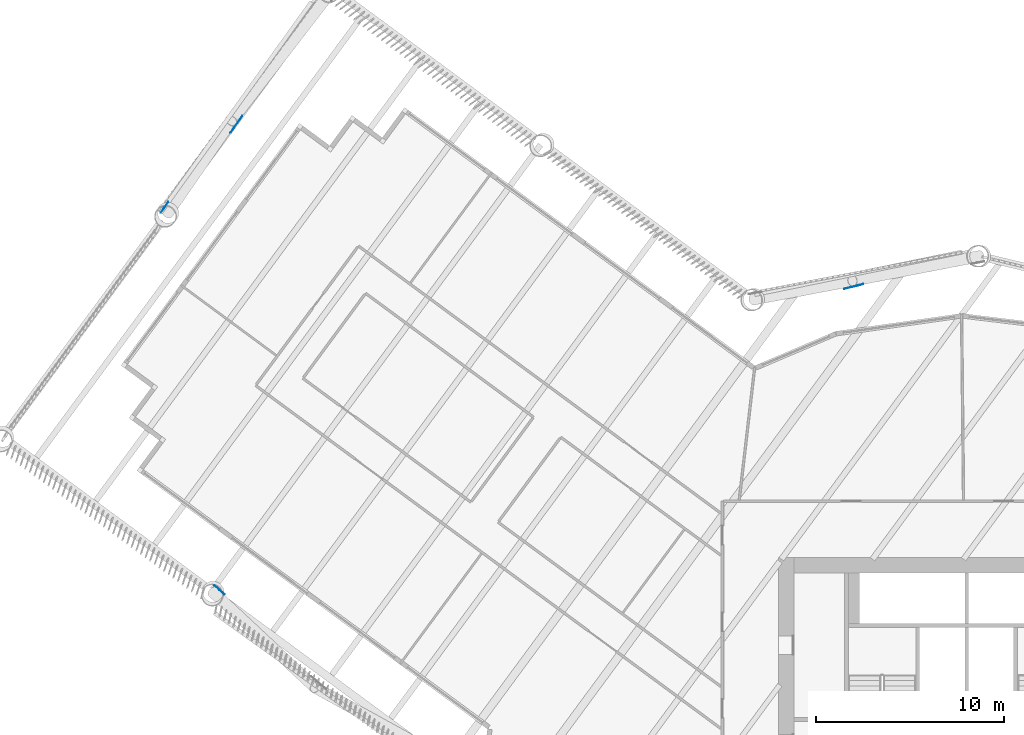
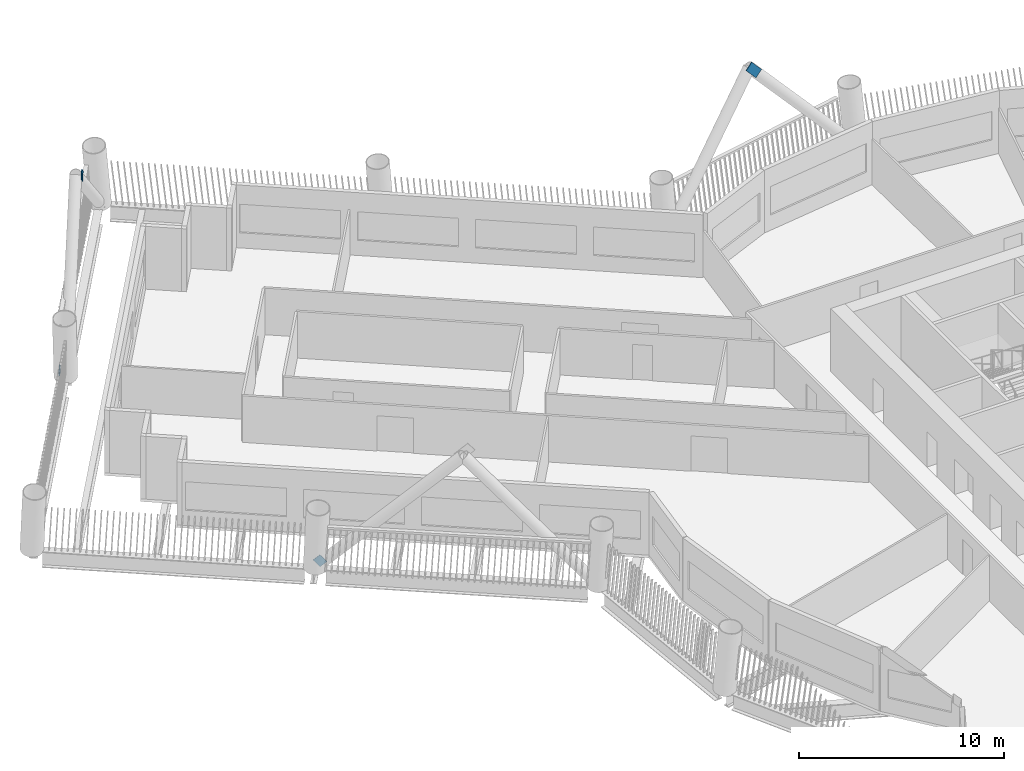
# One storey, part 12 of 23: 4 discrete accessories.
"""IFC4 building model written with IfcOpenShell, lengths in metres."""

from ifc_helpers import new_model, si_unit, direction, frame, origin, origin_2d, place, context, subcontext, project, spatial, rectangle, extrude, material, material_profile, profile_set, type_object, element, save


model = new_model("IFC4")

# Units and contexts
model_context = context("Model", 3, precision=1e-05, world=origin(), true_north=direction((0.0, 1.0)))
body_context = subcontext(model_context, "Body", "Model", "MODEL_VIEW")
ifc_project = project(units=[si_unit("LENGTHUNIT", "METRE"), si_unit("AREAUNIT", "SQUARE_METRE"), si_unit("VOLUMEUNIT", "CUBIC_METRE"), si_unit("PLANEANGLEUNIT", "RADIAN"), si_unit("MASSUNIT", "GRAM", prefix="KILO")], contexts=[model_context])

# Site, building, storey
site_placement = place(None, origin())
site = spatial("IfcSite", under=ifc_project, at=site_placement, CompositionType="ELEMENT")
building_placement = place(site_placement, origin())
building = spatial("IfcBuilding", under=site, at=building_placement, Name="Tarsis Ring Headquarters", CompositionType="ELEMENT")
storey_placement = place(building_placement, frame((0.0, 0.0, 124.0)))
storey = spatial("IfcBuildingStorey", under=building, at=storey_placement, Name="L28", CompositionType="ELEMENT", Elevation=124.0)

# Discrete accessories
ifc_material = material(Name="Structural steel S355", Category="steel")
ifc_material_profile = material_profile(ifc_material, rectangle(XDim=0.02490234375, YDim=0.5, at=origin_2d()), Name="PL 25x500")
ifc_profile_set = profile_set([ifc_material_profile], Name="Structural steel S355")
discrete_accessory_type = type_object("IfcDiscreteAccessoryType", Name="Gusset plate Exo brace 25", PredefinedType="BRACKET", material=ifc_profile_set)
for number, where, z_axis, x_axis, name in (
    (1, (-5.67822265625, 27.509765625, 7.4267578125), (-0.645976880928, -0.160395620094, 0.746315693498), (0.240981845309, -0.970529623572, 0.0), "Gusset plate GP5"),
    (2, (-38.630859375, 36.369140625, 7.474853515625), (-0.432646831547, -0.624554511905, 0.65019103409), (0.822030194631, -0.569443903396, 0.0), "Gusset plate GP5"),
):
    element("IfcDiscreteAccessory", number, at=place(storey_placement, frame(where, z_axis=z_axis, x_axis=x_axis)), inside=storey, type_object=discrete_accessory_type, Name=name, PredefinedType="BRACKET", context=body_context, shape_type="SweptSolid", body=[
        extrude(rectangle(XDim=0.02490234375, YDim=0.5, at=origin_2d()), origin(), (0.0, 0.0, 1.0), 1.0),
    ])
for number, where, z_axis, x_axis, name in (
    (3, (-42.759521484375, 31.512939453125, 0.0), (0.345677659401, 0.499474923118, 0.794375073229), (-0.822278991594, 0.569084580693, 0.0), "Gusset plate GP5"),
    (4, (-39.87451171875, 11.40185546875, 0.0), (0.50340542669, -0.470691397992, 0.724591322219), (0.682974286618, 0.730442416497, 0.0), "Gusset plate GP5"),
):
    element("IfcDiscreteAccessory", number, at=place(storey_placement, frame(where, z_axis=z_axis, x_axis=x_axis)), inside=storey, type_object=discrete_accessory_type, Name=name, PredefinedType="BRACKET", context=body_context, shape_type="SweptSolid", body=[
        extrude(rectangle(XDim=0.02490234375, YDim=0.5, at=origin_2d()), origin(), (0.0, 0.0, 1.0), 0.5),
    ])

save(model, "model.ifc")
